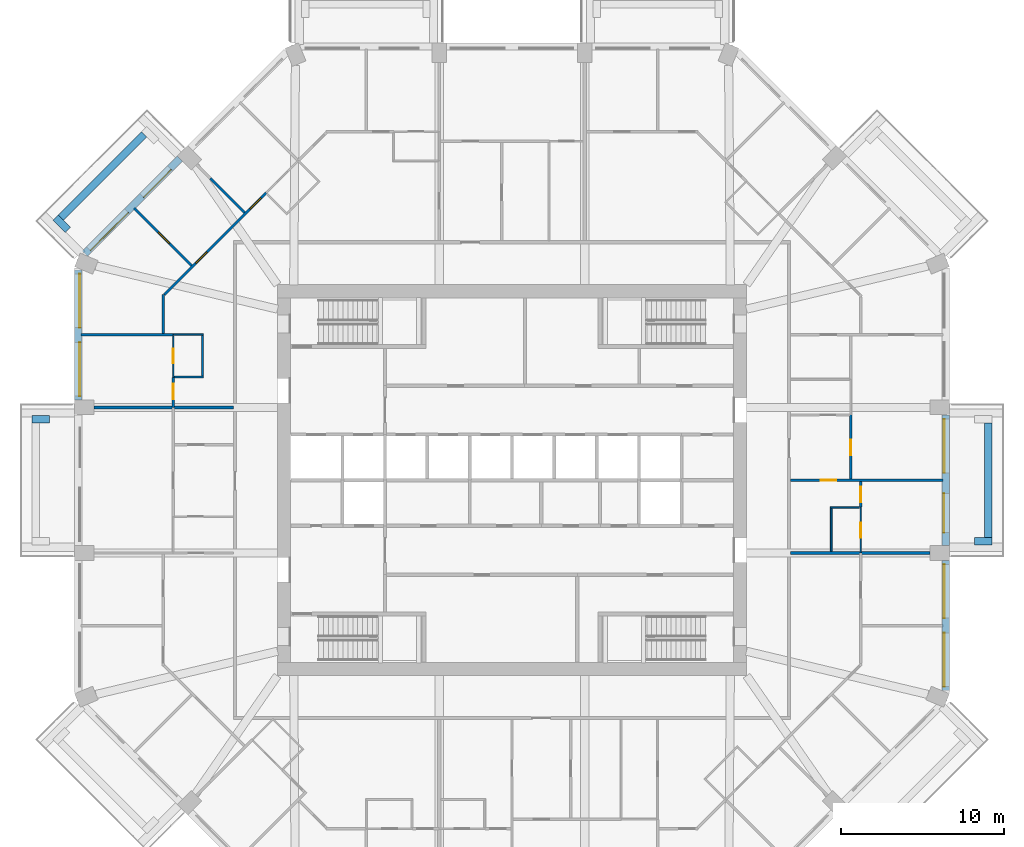
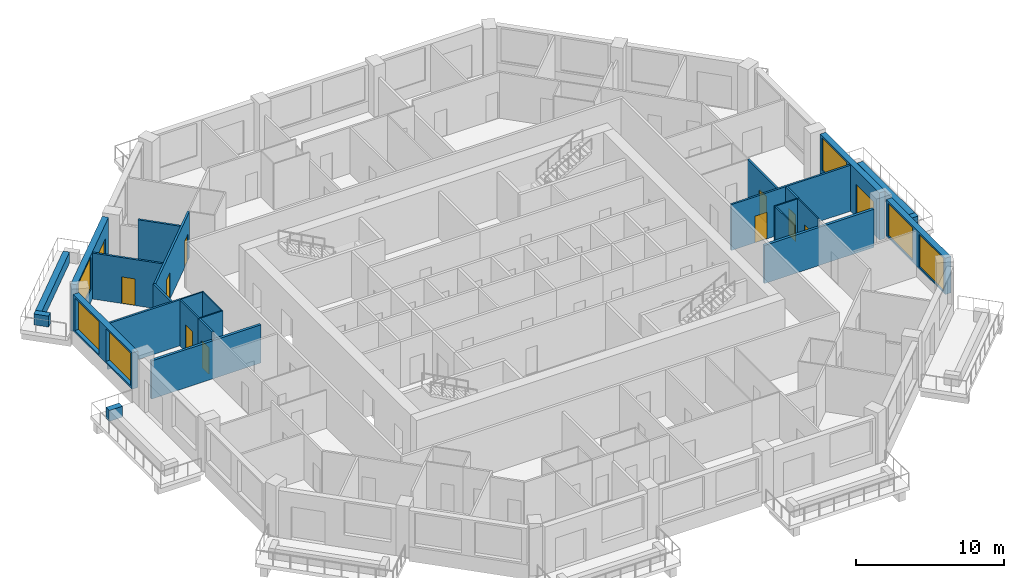
# One storey, part 7 of 13: 27 walls, 11 doors, 6 windows, 17 openings.
"""IFC4 building model written with IfcOpenShell, lengths in metres."""

import ifcopenshell
import ifcopenshell.guid

model = None  # the IFC model being written
_history = None  # IfcOwnerHistory: only IFC2X3 demands one
_inside = {}  # id of a spatial element -> (the spatial element, [elements in it])
_under = {}  # id of a project, library or spatial element -> (it, [spatial elements below it])
_declared = {}  # id of a project -> (the project, [libraries it declares])
_typed = {}  # id of a type object -> (the type object, [elements of that type])
_made_of = {}  # id of a material, layer set ... -> (it, [elements and type objects made of it])


def new_model(schema):
    """Start an empty IFC model of exactly this schema.

    Asked for "IFC4X3", IfcOpenShell would pick the latest addendum, in which some entities
    have other attributes; the version numbers below select the first issue.
    IFC2X3 requires an IfcOwnerHistory on every rooted entity: one is made here for all.
    """
    global model, _history
    if schema == "IFC4X3":
        model = ifcopenshell.file(schema_version=(4, 3, 0, 0))
    else:
        model = ifcopenshell.file(schema=schema)
    _inside.clear()
    _under.clear()
    _declared.clear()
    _typed.clear()
    _made_of.clear()
    _history = None
    if model.schema == "IFC2X3":
        org = make("IfcOrganization", Name="unknown")
        user = make(
            "IfcPersonAndOrganization",
            ThePerson=make("IfcPerson", FamilyName="unknown"),
            TheOrganization=org,
        )
        app = make(
            "IfcApplication",
            ApplicationDeveloper=org,
            Version="unknown",
            ApplicationFullName="unknown",
            ApplicationIdentifier="unknown",
        )
        _history = make(
            "IfcOwnerHistory",
            OwningUser=user,
            OwningApplication=app,
            ChangeAction="ADDED",
            CreationDate=0,
        )
    return model


def make(cls, **values):
    """One entity of the class cls with the attributes given. An attribute that is None is left unset."""
    return model.create_entity(
        cls, **{name: value for name, value in values.items() if value is not None}
    )


def rooted(cls, **values):
    """An entity with a GlobalId (a new one), such as an element, a storey or a relation."""
    return make(cls, GlobalId=ifcopenshell.guid.new(), OwnerHistory=_history, **values)


def si_unit(unit_type, name, prefix=None):
    """IfcSIUnit, for example si_unit("LENGTHUNIT", "METRE", prefix="MILLI")."""
    return make("IfcSIUnit", UnitType=unit_type, Prefix=prefix, Name=name)


def assignment(units):
    """IfcUnitAssignment: the units of a project."""
    return None if units is None else make("IfcUnitAssignment", Units=units)


def point(xyz):
    """IfcCartesianPoint."""
    return None if xyz is None else make("IfcCartesianPoint", Coordinates=xyz)


def direction(xyz):
    """IfcDirection."""
    return None if xyz is None else make("IfcDirection", DirectionRatios=xyz)


def frame(location, z_axis=None, x_axis=None):
    """IfcAxis2Placement3D, a coordinate frame: its origin and axes. An axis left out is left unset."""
    return make(
        "IfcAxis2Placement3D",
        Location=point(location),
        Axis=direction(z_axis),
        RefDirection=direction(x_axis),
    )


def frame_2d(location, x_axis=None):
    """IfcAxis2Placement2D, a coordinate frame in the plane: its origin and x axis."""
    return make(
        "IfcAxis2Placement2D", Location=point(location), RefDirection=direction(x_axis)
    )


def origin():
    """The frame at (0, 0, 0) with its axes left unset."""
    return frame((0.0, 0.0, 0.0))


def place(relative_to, where):
    """IfcLocalPlacement: puts the frame where relative to a parent placement (None: the world)."""
    return make(
        "IfcLocalPlacement", PlacementRelTo=relative_to, RelativePlacement=where
    )


def context(
    kind, dimensions, precision=None, world=None, true_north=None, identifier=None
):
    """IfcGeometricRepresentationContext, for example the 3D "Model" context."""
    return make(
        "IfcGeometricRepresentationContext",
        ContextIdentifier=identifier,
        ContextType=kind,
        CoordinateSpaceDimension=dimensions,
        Precision=precision,
        WorldCoordinateSystem=world,
        TrueNorth=true_north,
    )


def subcontext(parent, identifier, kind, view, scale=None):
    """IfcGeometricRepresentationSubContext, for example "Body" below "Model"."""
    return make(
        "IfcGeometricRepresentationSubContext",
        ContextIdentifier=identifier,
        ContextType=kind,
        ParentContext=parent,
        TargetScale=scale,
        TargetView=view,
    )


def project(units=None, contexts=None):
    """IfcProject with its units and contexts."""
    return rooted(
        "IfcProject",
        Name="project",
        RepresentationContexts=contexts,
        UnitsInContext=assignment(units),
    )


def spatial(cls, under=None, at=None, **own):
    """A site, building, storey or space (cls), placed at a placement, below another one or the project."""
    s = rooted(cls, ObjectPlacement=at, **own)
    if under is not None:
        _under.setdefault(under.id(), (under, []))[1].append(s)
    return s


def profile(cls, at=None, kind="AREA", **sizes):
    """A parametric profile (cls). Its sizes go by their IFC names, for example OverallWidth=200.0."""
    return make(cls, ProfileType=kind, Position=at, **sizes)


def rectangle(**sizes):
    """IfcRectangleProfileDef."""
    return profile("IfcRectangleProfileDef", **sizes)


def extrude(swept, where, along, depth):
    """IfcExtrudedAreaSolid: the profile swept, set in the frame where, extruded along a direction by depth."""
    return make(
        "IfcExtrudedAreaSolid",
        SweptArea=swept,
        Position=where,
        ExtrudedDirection=direction(along),
        Depth=depth,
    )


def shape(context_of_items, identifier, shape_type, items):
    """IfcShapeRepresentation: the items that make up one representation, for example the "Body"."""
    return make(
        "IfcShapeRepresentation",
        ContextOfItems=context_of_items,
        RepresentationIdentifier=identifier,
        RepresentationType=shape_type,
        Items=items,
    )


def material(Name=None, Category=None):
    """IfcMaterial."""
    return make("IfcMaterial", Name=Name, Category=Category)


def layer(
    of_material, thickness, ventilated=None, Name=None, Category=None, Priority=None
):
    """IfcMaterialLayer: one layer of a wall or slab, of a material (None: an air gap)."""
    return make(
        "IfcMaterialLayer",
        Material=of_material,
        LayerThickness=thickness,
        IsVentilated=ventilated,
        Name=Name,
        Category=Category,
        Priority=Priority,
    )


def layer_set(layers, Name=None):
    """IfcMaterialLayerSet."""
    return make("IfcMaterialLayerSet", MaterialLayers=layers, LayerSetName=Name)


def made_of(thing, what):
    """Note that an element or type object is made of a material, layer set ...; save() writes the relation."""
    if what is not None:
        _made_of.setdefault(what.id(), (what, []))[1].append(thing)
    return thing


def type_object(cls, material=None, **own):
    """A type object (cls), such as IfcWallType, which elements share."""
    return made_of(rooted(cls, **own), material)


def element(
    cls,
    number,
    at=None,
    inside=None,
    cuts=None,
    type_object=None,
    material=None,
    context=None,
    identifier="Body",
    shape_type=None,
    held_by="IfcProductDefinitionShape",
    body=None,
    shapes=None,
    **own,
):
    """One element of the class cls, such as IfcWall. Its Tag is "e" and its number.

    at: its placement. inside: the storey or other place that contains it. cuts: it is an
    opening in that element (IfcRelVoidsElement). A single representation is given by context,
    identifier, shape_type and body (its items); several are given by shapes. held_by: the class
    of the entity that holds the representations. save() writes the other relations.
    """
    e = rooted(cls, Tag="e%d" % number, ObjectPlacement=at, **own)
    if body is not None:
        shapes = [shape(context, identifier, shape_type, body)]
    if shapes is not None:
        e.Representation = make(held_by, Representations=shapes)
    if inside is not None:
        _inside.setdefault(inside.id(), (inside, []))[1].append(e)
    if cuts is not None:
        rooted(
            "IfcRelVoidsElement", RelatingBuildingElement=cuts, RelatedOpeningElement=e
        )
    if type_object is not None:
        _typed.setdefault(type_object.id(), (type_object, []))[1].append(e)
    return made_of(e, material)


def fill(opening, filler):
    """IfcRelFillsElement: the door or window that sits in an opening."""
    return rooted(
        "IfcRelFillsElement",
        RelatingOpeningElement=opening,
        RelatedBuildingElement=filler,
    )


def aggregate(whole, parts):
    """IfcRelAggregates: a whole, such as a stair, and the parts it consists of."""
    return rooted("IfcRelAggregates", RelatingObject=whole, RelatedObjects=parts)


def save(model, path):
    """Write the relations noted so far, then the file.

    IfcRelAggregates (storeys below a building ...), IfcRelContainedInSpatialStructure (elements
    in a storey), IfcRelDefinesByType, IfcRelAssociatesMaterial and IfcRelDeclares: one each for
    every whole, place, type object, material and project.
    """
    for whole, parts in _under.values():
        aggregate(whole, parts)
    for where, things in _inside.values():
        rooted(
            "IfcRelContainedInSpatialStructure",
            RelatedElements=things,
            RelatingStructure=where,
        )
    for kind, things in _typed.values():
        rooted("IfcRelDefinesByType", RelatedObjects=things, RelatingType=kind)
    for what, things in _made_of.values():
        rooted("IfcRelAssociatesMaterial", RelatedObjects=things, RelatingMaterial=what)
    for by, libraries in _declared.values():
        rooted("IfcRelDeclares", RelatingContext=by, RelatedDefinitions=libraries)
    model.write(path)


model = new_model("IFC4")

# Units and contexts
model_context = context("Model", 3, precision=1e-05, world=origin(), true_north=direction((0.0, 1.0)))
body_context = subcontext(model_context, "Body", "Model", "MODEL_VIEW")
ifc_project = project(units=[si_unit("LENGTHUNIT", "METRE"), si_unit("AREAUNIT", "SQUARE_METRE"), si_unit("VOLUMEUNIT", "CUBIC_METRE"), si_unit("PLANEANGLEUNIT", "RADIAN"), si_unit("MASSUNIT", "GRAM", prefix="KILO")], contexts=[model_context])

# Site, building, storey
site_placement = place(None, origin())
site = spatial("IfcSite", under=ifc_project, at=site_placement, CompositionType="ELEMENT")
building_placement = place(site_placement, origin())
building = spatial("IfcBuilding", under=site, at=building_placement, Name="Msitu Wima Residences", CompositionType="ELEMENT")
storey_placement = place(building_placement, frame((0.0, 0.0, 144.300048828125)))
storey = spatial("IfcBuildingStorey", under=building, at=storey_placement, Name="L33", CompositionType="ELEMENT", Elevation=144.300048828125)

# Walls
ifc_material_1 = material(Name="Facing brick")
ifc_layer_1 = layer(ifc_material_1, 0.06494140625, Name="Facing brick")
ifc_material_2 = material(Name="Concrete C40/50", Category="concrete")
ifc_layer_2 = layer(ifc_material_2, 0.156005859375, Name="Concrete C40/50")
ifc_material_3 = material(Name="Waterproofing membrane")
ifc_layer_3 = layer(ifc_material_3, 0.00390625, Name="Waterproofing membrane")
ifc_material_4 = material(Name="Planting soil and planting")
ifc_layer_4 = layer(ifc_material_4, 0.22509765625, Name="Planting soil and planting")
ifc_layer_set_1 = layer_set([ifc_layer_1, ifc_layer_2, ifc_layer_3, ifc_layer_4], Name="Concrete C40/50")
wall_type_1 = type_object("IfcWallType", Name="Balcony planter PLANTER PL450", PredefinedType="USERDEFINED", material=ifc_layer_set_1)
wall_1_placement = place(storey_placement, frame((29.22509765625, -3.5185546875, 0.0), z_axis=(0.0, 0.0, 1.0), x_axis=(0.0, 1.0, 0.0)))
element("IfcWall", 1, at=wall_1_placement, inside=storey, type_object=wall_type_1, Name="Balcony planter E1 L33", ObjectType="PLANTER", PredefinedType="USERDEFINED", context=body_context, shape_type="SweptSolid", body=[
    extrude(rectangle(XDim=7.037109375, YDim=0.449951171875, at=frame_2d((3.5185546875, 0.0))), origin(), (0.0, 0.0, 1.0), 0.89990234375),
])
wall_2_placement = place(storey_placement, frame((28.39990234375, -3.74365234375, 0.0), z_axis=(0.0, 0.0, 1.0), x_axis=(1.0, 0.0, 0.0)))
element("IfcWall", 2, at=wall_2_placement, inside=storey, type_object=wall_type_1, Name="Balcony planter E1 L33", ObjectType="PLANTER", PredefinedType="USERDEFINED", context=body_context, shape_type="SweptSolid", body=[
    extrude(rectangle(XDim=1.050048828125, YDim=0.449951171875, at=frame_2d((0.52490234375, 0.0))), origin(), (0.0, 0.0, 1.0), 0.89990234375),
])
wall_3_placement = place(storey_placement, frame((-22.572265625, 21.228759765625, 0.0), z_axis=(0.0, 0.0, 1.0), x_axis=(-0.707106781187, -0.707106781187, 0.0)))
element("IfcWall", 3, at=wall_3_placement, inside=storey, type_object=wall_type_1, Name="Balcony planter NW1 L33", ObjectType="PLANTER", PredefinedType="USERDEFINED", context=body_context, shape_type="SweptSolid", body=[
    extrude(rectangle(XDim=7.23828125, YDim=0.449951171875, at=frame_2d((3.619140625, 0.0))), origin(), (0.0, 0.0, 1.0), 0.89990234375),
])
for number, where, z_axis, x_axis, name in (
    (4, (-27.26611328125, 15.3681640625, 0.0), (0.0, 0.0, 1.0), (-0.707223014731, 0.706990528533, 0.0), "Balcony planter NW1 L33"),
    (5, (-28.39990234375, 3.74365234375, 0.0), (0.0, 0.0, 1.0), (-1.0, 0.0, 0.0), "Balcony planter W1 L33"),
):
    element("IfcWall", number, at=place(storey_placement, frame(where, z_axis=z_axis, x_axis=x_axis)), inside=storey, type_object=wall_type_1, Name=name, ObjectType="PLANTER", PredefinedType="USERDEFINED", context=body_context, shape_type="SweptSolid", body=[
        extrude(rectangle(XDim=1.050048828125, YDim=0.449951171875, at=frame_2d((0.52490234375, 0.0))), origin(), (0.0, 0.0, 1.0), 0.89990234375),
    ])

# Wall, openings, windows
ifc_material_5 = material(Name="Brick (red buff mix)", Category="masonry")
ifc_layer_5 = layer(ifc_material_5, 0.449951171875)
ifc_layer_set_2 = layer_set([ifc_layer_5], Name="Brick (red buff mix)")
wall_type_2 = type_object("IfcWallType", Name="Brick infill wall BW450", PredefinedType="SOLIDWALL", material=ifc_layer_set_2)
wall_4_placement = place(storey_placement, frame((26.625, -12.918701171875, 0.89990234375), z_axis=(0.0, 0.0, 1.0), x_axis=(0.0, 1.0, 0.0)))
wall_4 = element("IfcWall", 6, at=wall_4_placement, inside=storey, type_object=wall_type_2, Name="Brick infill wall L33 E0", PredefinedType="SOLIDWALL", context=body_context, shape_type="SweptSolid", body=[
    extrude(rectangle(XDim=8.0, YDim=0.449951171875, at=frame_2d((4.0, 0.0))), origin(), (0.0, 0.0, 1.0), 3.0),
])
opening_1_placement = place(wall_4_placement, frame((0.25, 0.0, 0.14990234375)))
opening_1 = element("IfcOpeningElement", 7, at=opening_1_placement, cuts=wall_4, Name="Opening W33.001", PredefinedType="OPENING", context=body_context, shape_type="SweptSolid", body=[
    extrude(rectangle(XDim=3.300048828125, YDim=2.699951171875, at=frame_2d((1.64990234375, 1.35009765625))), frame((0.0, 0.23486328125, 0.0), z_axis=(0.0, -1.0, 0.0), x_axis=(1.0, 0.0, 0.0)), (0.0, 0.0, 1.0), 0.469970703125),
])
opening_2_placement = place(wall_4_placement, frame((4.4501953125, 0.0, 0.14990234375)))
opening_2 = element("IfcOpeningElement", 8, at=opening_2_placement, cuts=wall_4, Name="Opening W33.002", PredefinedType="OPENING", context=body_context, shape_type="SweptSolid", body=[
    extrude(rectangle(XDim=3.300048828125, YDim=2.699951171875, at=frame_2d((1.64990234375, 1.35009765625))), frame((0.0, 0.23486328125, 0.0), z_axis=(0.0, -1.0, 0.0), x_axis=(1.0, 0.0, 0.0)), (0.0, 0.0, 1.0), 0.469970703125),
])
ifc_material_6 = material(Name="Anodised aluminium, bronze finish, clear low-emissivity double glazing", Category="aluminium")
window_type = type_object("IfcWindowType", Name="Window W3300x2700", PartitioningType="DOUBLE_PANEL_VERTICAL", PredefinedType="WINDOW", material=ifc_material_6)
window_1_placement = place(opening_1_placement, origin())
window_1 = element("IfcWindow", 9, at=window_1_placement, inside=storey, type_object=window_type, Name="Window L33 E0.1", OverallHeight=2.699951171875, OverallWidth=3.300048828125, PartitioningType="SINGLE_PANEL", PredefinedType="WINDOW", context=body_context, shape_type="SweptSolid", body=[
    extrude(rectangle(XDim=3.300048828125, YDim=2.699951171875, at=frame_2d((1.64990234375, 1.35009765625))), frame((0.0, 0.135009765625, 0.0), z_axis=(0.0, -1.0, 0.0), x_axis=(1.0, 0.0, 0.0)), (0.0, 0.0, 1.0), 0.06005859375),
])
fill(opening_1, window_1)
window_2_placement = place(opening_2_placement, origin())
window_2 = element("IfcWindow", 10, at=window_2_placement, inside=storey, type_object=window_type, Name="Window L33 E0.2", OverallHeight=2.699951171875, OverallWidth=3.300048828125, PartitioningType="SINGLE_PANEL", PredefinedType="WINDOW", context=body_context, shape_type="SweptSolid", body=[
    extrude(rectangle(XDim=3.300048828125, YDim=2.699951171875, at=frame_2d((1.64990234375, 1.35009765625))), frame((0.0, 0.135009765625, 0.0), z_axis=(0.0, -1.0, 0.0), x_axis=(1.0, 0.0, 0.0)), (0.0, 0.0, 1.0), 0.06005859375),
])
fill(opening_2, window_2)

# Wall, openings, door, window
wall_5_placement = place(storey_placement, frame((26.625, -4.0185546875, 0.0), z_axis=(0.0, 0.0, 1.0), x_axis=(0.0, 1.0, 0.0)))
wall_5 = element("IfcWall", 11, at=wall_5_placement, inside=storey, type_object=wall_type_2, Name="Brick infill wall L33 E1", PredefinedType="SOLIDWALL", context=body_context, shape_type="SweptSolid", body=[
    extrude(rectangle(XDim=8.037109375, YDim=0.449951171875, at=frame_2d((4.0185546875, 0.0))), origin(), (0.0, 0.0, 1.0), 3.89990234375),
])
opening_3_placement = place(wall_5_placement, frame((0.809326171875, 0.0, 0.0)))
opening_3 = element("IfcOpeningElement", 12, at=opening_3_placement, cuts=wall_5, Name="Opening D33.001", PredefinedType="OPENING", context=body_context, shape_type="SweptSolid", body=[
    extrude(rectangle(XDim=2.39990234375, YDim=2.699951171875, at=frame_2d((1.199951171875, 1.35009765625))), frame((0.0, 0.23486328125, 0.0), z_axis=(0.0, -1.0, 0.0), x_axis=(1.0, 0.0, 0.0)), (0.0, 0.0, 1.0), 0.469970703125),
])
opening_4_placement = place(wall_5_placement, frame((4.46875, 0.0, 1.050048828125)))
opening_4 = element("IfcOpeningElement", 13, at=opening_4_placement, cuts=wall_5, Name="Opening W33.003", PredefinedType="OPENING", context=body_context, shape_type="SweptSolid", body=[
    extrude(rectangle(XDim=3.300048828125, YDim=2.699951171875, at=frame_2d((1.64990234375, 1.35009765625))), frame((0.0, 0.23486328125, 0.0), z_axis=(0.0, -1.0, 0.0), x_axis=(1.0, 0.0, 0.0)), (0.0, 0.0, 1.0), 0.469970703125),
])
door_type_1 = type_object("IfcDoorType", Name="Balcony door D2400x2700", OperationType="SLIDING_TO_LEFT", PredefinedType="DOOR", material=ifc_material_6)
door_1_placement = place(opening_3_placement, origin())
door_1 = element("IfcDoor", 14, at=door_1_placement, inside=storey, type_object=door_type_1, Name="Balcony door L33 E1", OperationType="SINGLE_SWING_LEFT", OverallHeight=2.699951171875, OverallWidth=2.39990234375, PredefinedType="DOOR", context=body_context, shape_type="SweptSolid", body=[
    extrude(rectangle(XDim=2.39990234375, YDim=2.699951171875, at=frame_2d((1.199951171875, 1.35009765625))), frame((0.0, 0.1298828125, 0.0), z_axis=(0.0, -1.0, 0.0), x_axis=(1.0, 0.0, 0.0)), (0.0, 0.0, 1.0), 0.050048828125),
])
fill(opening_3, door_1)
window_3_placement = place(opening_4_placement, origin())
window_3 = element("IfcWindow", 15, at=window_3_placement, inside=storey, type_object=window_type, Name="Window L33 E1.2", OverallHeight=2.699951171875, OverallWidth=3.300048828125, PartitioningType="SINGLE_PANEL", PredefinedType="WINDOW", context=body_context, shape_type="SweptSolid", body=[
    extrude(rectangle(XDim=3.300048828125, YDim=2.699951171875, at=frame_2d((1.64990234375, 1.35009765625))), frame((0.0, 0.135009765625, 0.0), z_axis=(0.0, -1.0, 0.0), x_axis=(1.0, 0.0, 0.0)), (0.0, 0.0, 1.0), 0.06005859375),
])
fill(opening_4, window_3)

wall_6_placement = place(storey_placement, frame((-20.380126953125, 19.743896484375, 0.0), z_axis=(0.0, 0.0, 1.0), x_axis=(-0.707106781187, -0.707106781187, 0.0)))
wall_6 = element("IfcWall", 16, at=wall_6_placement, inside=storey, type_object=wall_type_2, Name="Brick infill wall L33 NW1", PredefinedType="SOLIDWALL", context=body_context, shape_type="SweptSolid", body=[
    extrude(rectangle(XDim=8.251220703125, YDim=0.449951171875, at=frame_2d((4.12548828125, 0.0))), origin(), (0.0, 0.0, 1.0), 3.89990234375),
])
opening_5_placement = place(wall_6_placement, frame((0.86279296875, 0.0, 0.0)))
opening_5 = element("IfcOpeningElement", 17, at=opening_5_placement, cuts=wall_6, Name="Opening D33.005", PredefinedType="OPENING", context=body_context, shape_type="SweptSolid", body=[
    extrude(rectangle(XDim=2.39990234375, YDim=2.699951171875, at=frame_2d((1.199951171875, 1.35009765625))), frame((0.0, 0.23486328125, 0.0), z_axis=(0.0, -1.0, 0.0), x_axis=(1.0, 0.0, 0.0)), (0.0, 0.0, 1.0), 0.469970703125),
])
opening_6_placement = place(wall_6_placement, frame((4.57568359375, 0.0, 1.050048828125)))
opening_6 = element("IfcOpeningElement", 18, at=opening_6_placement, cuts=wall_6, Name="Opening W33.015", PredefinedType="OPENING", context=body_context, shape_type="SweptSolid", body=[
    extrude(rectangle(XDim=3.300048828125, YDim=2.699951171875, at=frame_2d((1.64990234375, 1.35009765625))), frame((0.0, 0.23486328125, 0.0), z_axis=(0.0, -1.0, 0.0), x_axis=(1.0, 0.0, 0.0)), (0.0, 0.0, 1.0), 0.469970703125),
])
door_2_placement = place(opening_5_placement, origin())
door_2 = element("IfcDoor", 19, at=door_2_placement, inside=storey, type_object=door_type_1, Name="Balcony door L33 NW1", OperationType="SINGLE_SWING_LEFT", OverallHeight=2.699951171875, OverallWidth=2.39990234375, PredefinedType="DOOR", context=body_context, shape_type="SweptSolid", body=[
    extrude(rectangle(XDim=2.39990234375, YDim=2.699951171875, at=frame_2d((1.199951171875, 1.35009765625))), frame((0.0, 0.1298828125, 0.0), z_axis=(0.0, -1.0, 0.0), x_axis=(1.0, 0.0, 0.0)), (0.0, 0.0, 1.0), 0.050048828125),
])
fill(opening_5, door_2)
window_4_placement = place(opening_6_placement, origin())
window_4 = element("IfcWindow", 20, at=window_4_placement, inside=storey, type_object=window_type, Name="Window L33 NW1.2", OverallHeight=2.699951171875, OverallWidth=3.300048828125, PartitioningType="SINGLE_PANEL", PredefinedType="WINDOW", context=body_context, shape_type="SweptSolid", body=[
    extrude(rectangle(XDim=3.300048828125, YDim=2.699951171875, at=frame_2d((1.64990234375, 1.35009765625))), frame((0.0, 0.135009765625, 0.0), z_axis=(0.0, -1.0, 0.0), x_axis=(1.0, 0.0, 0.0)), (0.0, 0.0, 1.0), 0.06005859375),
])
fill(opening_6, window_4)

# Wall, openings, windows
wall_7_placement = place(storey_placement, frame((-26.625, 12.918701171875, 0.89990234375), z_axis=(0.0, 0.0, 1.0), x_axis=(0.0, -1.0, 0.0)))
wall_7 = element("IfcWall", 21, at=wall_7_placement, inside=storey, type_object=wall_type_2, Name="Brick infill wall L33 W0", PredefinedType="SOLIDWALL", context=body_context, shape_type="SweptSolid", body=[
    extrude(rectangle(XDim=8.0, YDim=0.449951171875, at=frame_2d((4.0, 0.0))), origin(), (0.0, 0.0, 1.0), 3.0),
])
opening_7_placement = place(wall_7_placement, frame((0.25, 0.0, 0.14990234375)))
opening_7 = element("IfcOpeningElement", 22, at=opening_7_placement, cuts=wall_7, Name="Opening W33.026", PredefinedType="OPENING", context=body_context, shape_type="SweptSolid", body=[
    extrude(rectangle(XDim=3.300048828125, YDim=2.699951171875, at=frame_2d((1.64990234375, 1.35009765625))), frame((0.0, 0.23486328125, 0.0), z_axis=(0.0, -1.0, 0.0), x_axis=(1.0, 0.0, 0.0)), (0.0, 0.0, 1.0), 0.469970703125),
])
opening_8_placement = place(wall_7_placement, frame((4.4501953125, 0.0, 0.14990234375)))
opening_8 = element("IfcOpeningElement", 23, at=opening_8_placement, cuts=wall_7, Name="Opening W33.027", PredefinedType="OPENING", context=body_context, shape_type="SweptSolid", body=[
    extrude(rectangle(XDim=3.300048828125, YDim=2.699951171875, at=frame_2d((1.64990234375, 1.35009765625))), frame((0.0, 0.23486328125, 0.0), z_axis=(0.0, -1.0, 0.0), x_axis=(1.0, 0.0, 0.0)), (0.0, 0.0, 1.0), 0.469970703125),
])
window_5_placement = place(opening_7_placement, origin())
window_5 = element("IfcWindow", 24, at=window_5_placement, inside=storey, type_object=window_type, Name="Window L33 W0.1", OverallHeight=2.699951171875, OverallWidth=3.300048828125, PartitioningType="SINGLE_PANEL", PredefinedType="WINDOW", context=body_context, shape_type="SweptSolid", body=[
    extrude(rectangle(XDim=3.300048828125, YDim=2.699951171875, at=frame_2d((1.64990234375, 1.35009765625))), frame((0.0, 0.135009765625, 0.0), z_axis=(0.0, -1.0, 0.0), x_axis=(1.0, 0.0, 0.0)), (0.0, 0.0, 1.0), 0.06005859375),
])
fill(opening_7, window_5)
window_6_placement = place(opening_8_placement, origin())
window_6 = element("IfcWindow", 25, at=window_6_placement, inside=storey, type_object=window_type, Name="Window L33 W0.2", OverallHeight=2.699951171875, OverallWidth=3.300048828125, PartitioningType="SINGLE_PANEL", PredefinedType="WINDOW", context=body_context, shape_type="SweptSolid", body=[
    extrude(rectangle(XDim=3.300048828125, YDim=2.699951171875, at=frame_2d((1.64990234375, 1.35009765625))), frame((0.0, 0.135009765625, 0.0), z_axis=(0.0, -1.0, 0.0), x_axis=(1.0, 0.0, 0.0)), (0.0, 0.0, 1.0), 0.06005859375),
])
fill(opening_8, window_6)

# Wall
ifc_material_7 = material(Name="Plaster")
ifc_layer_6 = layer(ifc_material_7, 0.011962890625, Name="Plaster")
ifc_material_8 = material(Name="Concrete blockwork", Category="masonry")
ifc_layer_7 = layer(ifc_material_8, 0.1259765625, Name="Concrete blockwork")
ifc_layer_8 = layer(ifc_material_7, 0.011962890625, Name="Plaster")
ifc_layer_set_3 = layer_set([ifc_layer_6, ifc_layer_7, ifc_layer_8], Name="Concrete blockwork")
wall_type_3 = type_object("IfcWallType", Name="Partition PW150", PredefinedType="PARTITIONING", material=ifc_layer_set_3)
wall_8_placement = place(storey_placement, frame((-26.455078125, 8.937255859375, 0.0), z_axis=(0.0, 0.0, 1.0), x_axis=(1.0, 0.0, 0.0)))
element("IfcWall", 26, at=wall_8_placement, inside=storey, type_object=wall_type_3, Name="Partition", PredefinedType="PARTITIONING", context=body_context, shape_type="SweptSolid", body=[
    extrude(rectangle(XDim=5.675048828125, YDim=0.14990234375, at=frame_2d((2.83740234375, 0.0))), origin(), (0.0, 0.0, 1.0), 3.7978515625),
])

# Wall, opening, door
wall_9_placement = place(storey_placement, frame((-23.1904296875, 16.693359375, 0.0), z_axis=(0.0, 0.0, 1.0), x_axis=(0.707106781187, -0.707106781187, 0.0)))
wall_9 = element("IfcWall", 27, at=wall_9_placement, inside=storey, type_object=wall_type_3, Name="Partition", PredefinedType="PARTITIONING", context=body_context, shape_type="SweptSolid", body=[
    extrude(rectangle(XDim=4.980224609375, YDim=0.14990234375, at=frame_2d((2.490234375, 0.0))), origin(), (0.0, 0.0, 1.0), 3.7978515625),
])
opening_9_placement = place(wall_9_placement, frame((2.10009765625, 0.0, 0.0)))
opening_9 = element("IfcOpeningElement", 28, at=opening_9_placement, cuts=wall_9, Name="Opening D33.055", PredefinedType="OPENING", context=body_context, shape_type="SweptSolid", body=[
    extrude(rectangle(XDim=0.949951171875, YDim=2.199951171875, at=frame_2d((0.47509765625, 1.10009765625))), frame((0.0, 0.0849609375, 0.0), z_axis=(0.0, -1.0, 0.0), x_axis=(1.0, 0.0, 0.0)), (0.0, 0.0, 1.0), 0.169921875),
])
ifc_material_9 = material(Name="Timber flush door", Category="wood")
door_type_2 = type_object("IfcDoorType", Name="Room door D12 950x2200", OperationType="SINGLE_SWING_LEFT", PredefinedType="DOOR", material=ifc_material_9)
door_3_placement = place(opening_9_placement, origin())
door_3 = element("IfcDoor", 29, at=door_3_placement, inside=storey, type_object=door_type_2, Name="Room door", OperationType="SINGLE_SWING_LEFT", OverallHeight=2.199951171875, OverallWidth=0.949951171875, PredefinedType="DOOR", context=body_context, shape_type="SweptSolid", body=[
    extrude(rectangle(XDim=0.949951171875, YDim=2.199951171875, at=frame_2d((0.47509765625, 1.10009765625))), frame((0.0, 0.02490234375, 0.0), z_axis=(0.0, -1.0, 0.0), x_axis=(1.0, 0.0, 0.0)), (0.0, 0.0, 1.0), 0.050048828125),
])
fill(opening_9, door_3)

# Wall
wall_10_placement = place(storey_placement, frame((-21.39990234375, 9.01220703125, 0.0), z_axis=(0.0, 0.0, 1.0), x_axis=(0.0, 1.0, 0.0)))
element("IfcWall", 30, at=wall_10_placement, inside=storey, type_object=wall_type_3, Name="Partition", PredefinedType="PARTITIONING", context=body_context, shape_type="SweptSolid", body=[
    extrude(rectangle(XDim=2.397705078125, YDim=0.14990234375, at=frame_2d((1.19873046875, 0.0))), origin(), (0.0, 0.0, 1.0), 3.7978515625),
])

# Wall, openings, doors
wall_11_placement = place(storey_placement, frame((-21.346923828125, 11.387939453125, 0.0), z_axis=(0.0, 0.0, 1.0), x_axis=(0.707106781187, 0.707106781187, 0.0)))
wall_11 = element("IfcWall", 31, at=wall_11_placement, inside=storey, type_object=wall_type_3, Name="Partition", PredefinedType="PARTITIONING", context=body_context, shape_type="SweptSolid", body=[
    extrude(rectangle(XDim=8.836181640625, YDim=0.14990234375, at=frame_2d((4.41796875, 0.0))), origin(), (0.0, 0.0, 1.0), 3.7978515625),
])
opening_10_placement = place(wall_11_placement, frame((2.75, 0.0, 0.0)))
opening_10 = element("IfcOpeningElement", 32, at=opening_10_placement, cuts=wall_11, Name="Opening D33.045", PredefinedType="OPENING", context=body_context, shape_type="SweptSolid", body=[
    extrude(rectangle(XDim=0.949951171875, YDim=2.199951171875, at=frame_2d((0.47509765625, 1.10009765625))), frame((0.0, 0.0849609375, 0.0), z_axis=(0.0, -1.0, 0.0), x_axis=(1.0, 0.0, 0.0)), (0.0, 0.0, 1.0), 0.169921875),
])
opening_11_placement = place(wall_11_placement, frame((7.449951171875, 0.0, 0.0)))
opening_11 = element("IfcOpeningElement", 33, at=opening_11_placement, cuts=wall_11, Name="Opening D33.047", PredefinedType="OPENING", context=body_context, shape_type="SweptSolid", body=[
    extrude(rectangle(XDim=0.949951171875, YDim=2.199951171875, at=frame_2d((0.47509765625, 1.10009765625))), frame((0.0, 0.0849609375, 0.0), z_axis=(0.0, -1.0, 0.0), x_axis=(1.0, 0.0, 0.0)), (0.0, 0.0, 1.0), 0.169921875),
])
door_4_placement = place(opening_10_placement, origin())
door_4 = element("IfcDoor", 34, at=door_4_placement, inside=storey, type_object=door_type_2, Name="Room door", OperationType="SINGLE_SWING_LEFT", OverallHeight=2.199951171875, OverallWidth=0.949951171875, PredefinedType="DOOR", context=body_context, shape_type="SweptSolid", body=[
    extrude(rectangle(XDim=0.949951171875, YDim=2.199951171875, at=frame_2d((0.47509765625, 1.10009765625))), frame((0.0, 0.02490234375, 0.0), z_axis=(0.0, -1.0, 0.0), x_axis=(1.0, 0.0, 0.0)), (0.0, 0.0, 1.0), 0.050048828125),
])
fill(opening_10, door_4)
door_5_placement = place(opening_11_placement, origin())
door_5 = element("IfcDoor", 35, at=door_5_placement, inside=storey, type_object=door_type_2, Name="Room door", OperationType="SINGLE_SWING_LEFT", OverallHeight=2.199951171875, OverallWidth=0.949951171875, PredefinedType="DOOR", context=body_context, shape_type="SweptSolid", body=[
    extrude(rectangle(XDim=0.949951171875, YDim=2.199951171875, at=frame_2d((0.47509765625, 1.10009765625))), frame((0.0, 0.02490234375, 0.0), z_axis=(0.0, -1.0, 0.0), x_axis=(1.0, 0.0, 0.0)), (0.0, 0.0, 1.0), 0.050048828125),
])
fill(opening_11, door_5)

# Wall, opening, door
wall_12_placement = place(storey_placement, frame((-20.800048828125, 4.46875, 0.0), z_axis=(0.0, 0.0, 1.0), x_axis=(0.0, 1.0, 0.0)))
wall_12 = element("IfcWall", 36, at=wall_12_placement, inside=storey, type_object=wall_type_3, Name="Partition", PredefinedType="PARTITIONING", context=body_context, shape_type="SweptSolid", body=[
    extrude(rectangle(XDim=1.848388671875, YDim=0.14990234375, at=frame_2d((0.92431640625, 0.0))), origin(), (0.0, 0.0, 1.0), 3.7978515625),
])
opening_12_placement = place(wall_12_placement, frame((0.5, 0.0, 0.0)))
opening_12 = element("IfcOpeningElement", 37, at=opening_12_placement, cuts=wall_12, Name="Opening D33.053", PredefinedType="OPENING", context=body_context, shape_type="SweptSolid", body=[
    extrude(rectangle(XDim=0.949951171875, YDim=2.199951171875, at=frame_2d((0.47509765625, 1.10009765625))), frame((0.0, 0.0849609375, 0.0), z_axis=(0.0, -1.0, 0.0), x_axis=(1.0, 0.0, 0.0)), (0.0, 0.0, 1.0), 0.169921875),
])
door_6_placement = place(opening_12_placement, origin())
door_6 = element("IfcDoor", 38, at=door_6_placement, inside=storey, type_object=door_type_2, Name="Room door", OperationType="SINGLE_SWING_LEFT", OverallHeight=2.199951171875, OverallWidth=0.949951171875, PredefinedType="DOOR", context=body_context, shape_type="SweptSolid", body=[
    extrude(rectangle(XDim=0.949951171875, YDim=2.199951171875, at=frame_2d((0.47509765625, 1.10009765625))), frame((0.0, 0.02490234375, 0.0), z_axis=(0.0, -1.0, 0.0), x_axis=(1.0, 0.0, 0.0)), (0.0, 0.0, 1.0), 0.050048828125),
])
fill(opening_12, door_6)

# Wall
wall_13_placement = place(storey_placement, frame((-18.517578125, 18.517578125, 0.0), z_axis=(0.0, 0.0, 1.0), x_axis=(0.707106781187, -0.707106781187, 0.0)))
element("IfcWall", 39, at=wall_13_placement, inside=storey, type_object=wall_type_3, Name="Partition", PredefinedType="PARTITIONING", context=body_context, shape_type="SweptSolid", body=[
    extrude(rectangle(XDim=2.9658203125, YDim=0.14990234375, at=frame_2d((1.48291015625, 0.0))), origin(), (0.0, 0.0, 1.0), 3.7978515625),
])

# Wall, opening, door
wall_14_placement = place(storey_placement, frame((17.10009765625, 0.0, 0.0), z_axis=(0.0, 0.0, 1.0), x_axis=(1.0, 0.0, 0.0)))
wall_14 = element("IfcWall", 40, at=wall_14_placement, inside=storey, type_object=wall_type_3, Name="Partition", PredefinedType="PARTITIONING", context=body_context, shape_type="SweptSolid", body=[
    extrude(rectangle(XDim=9.35498046875, YDim=0.14990234375, at=frame_2d((4.677490234375, 0.0))), origin(), (0.0, 0.0, 1.0), 3.7978515625),
])
opening_13_placement = place(wall_14_placement, frame((1.85009765625, 0.0, 0.0)))
opening_13 = element("IfcOpeningElement", 41, at=opening_13_placement, cuts=wall_14, Name="Opening D33.050", PredefinedType="OPENING", context=body_context, shape_type="SweptSolid", body=[
    extrude(rectangle(XDim=0.949951171875, YDim=2.199951171875, at=frame_2d((0.47509765625, 1.10009765625))), frame((0.0, 0.0849609375, 0.0), z_axis=(0.0, -1.0, 0.0), x_axis=(1.0, 0.0, 0.0)), (0.0, 0.0, 1.0), 0.169921875),
])
door_7_placement = place(opening_13_placement, origin())
door_7 = element("IfcDoor", 42, at=door_7_placement, inside=storey, type_object=door_type_2, Name="Room door", OperationType="SINGLE_SWING_RIGHT", OverallHeight=2.199951171875, OverallWidth=0.949951171875, PredefinedType="DOOR", context=body_context, shape_type="SweptSolid", body=[
    extrude(rectangle(XDim=0.949951171875, YDim=2.199951171875, at=frame_2d((0.47509765625, 1.10009765625))), frame((0.0, 0.02490234375, 0.0), z_axis=(0.0, -1.0, 0.0), x_axis=(1.0, 0.0, 0.0)), (0.0, 0.0, 1.0), 0.050048828125),
])
fill(opening_13, door_7)

wall_15_placement = place(storey_placement, frame((20.800048828125, 0.074951171875, 0.0), z_axis=(0.0, 0.0, 1.0), x_axis=(0.0, 1.0, 0.0)))
wall_15 = element("IfcWall", 43, at=wall_15_placement, inside=storey, type_object=wall_type_3, Name="Partition", PredefinedType="PARTITIONING", context=body_context, shape_type="SweptSolid", body=[
    extrude(rectangle(XDim=3.945068359375, YDim=0.14990234375, at=frame_2d((1.97265625, 0.0))), origin(), (0.0, 0.0, 1.0), 3.7978515625),
])
opening_14_placement = place(wall_15_placement, frame((1.449951171875, 0.0, 0.0)))
opening_14 = element("IfcOpeningElement", 44, at=opening_14_placement, cuts=wall_15, Name="Opening D33.039", PredefinedType="OPENING", context=body_context, shape_type="SweptSolid", body=[
    extrude(rectangle(XDim=0.949951171875, YDim=2.199951171875, at=frame_2d((0.47509765625, 1.10009765625))), frame((0.0, 0.0849609375, 0.0), z_axis=(0.0, -1.0, 0.0), x_axis=(1.0, 0.0, 0.0)), (0.0, 0.0, 1.0), 0.169921875),
])
door_8_placement = place(opening_14_placement, origin())
door_8 = element("IfcDoor", 45, at=door_8_placement, inside=storey, type_object=door_type_2, Name="Room door", OperationType="SINGLE_SWING_RIGHT", OverallHeight=2.199951171875, OverallWidth=0.949951171875, PredefinedType="DOOR", context=body_context, shape_type="SweptSolid", body=[
    extrude(rectangle(XDim=0.949951171875, YDim=2.199951171875, at=frame_2d((0.47509765625, 1.10009765625))), frame((0.0, 0.02490234375, 0.0), z_axis=(0.0, -1.0, 0.0), x_axis=(1.0, 0.0, 0.0)), (0.0, 0.0, 1.0), 0.050048828125),
])
fill(opening_14, door_8)

wall_16_placement = place(storey_placement, frame((21.39990234375, -1.648681640625, 0.0), z_axis=(0.0, 0.0, 1.0), x_axis=(0.0, 1.0, 0.0)))
wall_16 = element("IfcWall", 46, at=wall_16_placement, inside=storey, type_object=wall_type_3, Name="Partition", PredefinedType="PARTITIONING", context=body_context, shape_type="SweptSolid", body=[
    extrude(rectangle(XDim=1.57373046875, YDim=0.14990234375, at=frame_2d((0.786865234375, 0.0))), origin(), (0.0, 0.0, 1.0), 3.7978515625),
])
opening_15_placement = place(wall_16_placement, frame((0.300048828125, 0.0, 0.0)))
opening_15 = element("IfcOpeningElement", 47, at=opening_15_placement, cuts=wall_16, Name="Opening D33.072", PredefinedType="OPENING", context=body_context, shape_type="SweptSolid", body=[
    extrude(rectangle(XDim=0.949951171875, YDim=2.199951171875, at=frame_2d((0.47509765625, 1.10009765625))), frame((0.0, 0.0849609375, 0.0), z_axis=(0.0, -1.0, 0.0), x_axis=(1.0, 0.0, 0.0)), (0.0, 0.0, 1.0), 0.169921875),
])
door_9_placement = place(opening_15_placement, origin())
door_9 = element("IfcDoor", 48, at=door_9_placement, inside=storey, type_object=door_type_2, Name="Room door", OperationType="SINGLE_SWING_LEFT", OverallHeight=2.199951171875, OverallWidth=0.949951171875, PredefinedType="DOOR", context=body_context, shape_type="SweptSolid", body=[
    extrude(rectangle(XDim=0.949951171875, YDim=2.199951171875, at=frame_2d((0.47509765625, 1.10009765625))), frame((0.0, 0.02490234375, 0.0), z_axis=(0.0, -1.0, 0.0), x_axis=(1.0, 0.0, 0.0)), (0.0, 0.0, 1.0), 0.050048828125),
])
fill(opening_15, door_9)

# Walls
ifc_layer_9 = layer(ifc_material_7, 0.011962890625, Name="Plaster")
ifc_material_10 = material(Name="Dense concrete blockwork", Category="masonry")
ifc_layer_10 = layer(ifc_material_10, 0.176025390625, Name="Dense concrete blockwork")
ifc_layer_11 = layer(ifc_material_7, 0.011962890625, Name="Plaster")
ifc_layer_set_4 = layer_set([ifc_layer_9, ifc_layer_10, ifc_layer_11], Name="Dense concrete blockwork")
wall_type_4 = type_object("IfcWallType", Name="Party wall PW200", PredefinedType="PARTITIONING", material=ifc_layer_set_4)
for number, where, z_axis, x_axis, name in (
    (49, (-25.64990234375, 4.46875, 0.0), (0.0, 0.0, 1.0), (1.0, 0.0, 0.0), "Party wall"),
    (50, (17.10009765625, -4.46875, 0.0), (0.0, 0.0, 1.0), (1.0, 0.0, 0.0), "Party wall"),
):
    element("IfcWall", number, at=place(storey_placement, frame(where, z_axis=z_axis, x_axis=x_axis)), inside=storey, type_object=wall_type_4, Name=name, PredefinedType="PARTITIONING", context=body_context, shape_type="SweptSolid", body=[
        extrude(rectangle(XDim=8.5498046875, YDim=0.199951171875, at=frame_2d((4.27490234375, 0.0))), origin(), (0.0, 0.0, 1.0), 3.14990234375),
    ])
ifc_material_11 = material(Name="Ceramic tiles")
ifc_layer_12 = layer(ifc_material_11, 0.008056640625, Name="Ceramic tiles")
ifc_material_12 = material(Name="Moisture-resistant board")
ifc_layer_13 = layer(ifc_material_12, 0.012451171875, Name="Moisture-resistant board")
ifc_material_13 = material(Name="Light-gauge stud framing with mineral wool")
ifc_layer_14 = layer(ifc_material_13, 0.06689453125, Name="Light-gauge stud framing with mineral wool")
ifc_layer_15 = layer(ifc_material_12, 0.012451171875, Name="Moisture-resistant board")
ifc_layer_set_5 = layer_set([ifc_layer_12, ifc_layer_13, ifc_layer_14, ifc_layer_15], Name="Light-gauge stud framing with mineral wool")
wall_type_5 = type_object("IfcWallType", Name="Wet wall PW100", PredefinedType="PARTITIONING", material=ifc_layer_set_5)
wall_17_placement = place(storey_placement, frame((-20.780029296875, 8.937255859375, 0.0), z_axis=(0.0, 0.0, 1.0), x_axis=(1.0, 0.0, 0.0)))
element("IfcWall", 51, at=wall_17_placement, inside=storey, type_object=wall_type_5, Name="Wet wall", PredefinedType="PARTITIONING", context=body_context, shape_type="SweptSolid", body=[
    extrude(rectangle(XDim=1.830078125, YDim=0.10009765625, at=frame_2d((0.9150390625, 0.0))), origin(), (0.0, 0.0, 1.0), 3.7978515625),
])

# Wall, opening, door
wall_18_placement = place(storey_placement, frame((-20.800048828125, 6.317138671875, 0.0), z_axis=(0.0, 0.0, 1.0), x_axis=(0.0, 1.0, 0.0)))
wall_18 = element("IfcWall", 52, at=wall_18_placement, inside=storey, type_object=wall_type_5, Name="Wet wall", PredefinedType="PARTITIONING", context=body_context, shape_type="SweptSolid", body=[
    extrude(rectangle(XDim=2.545166015625, YDim=0.10009765625, at=frame_2d((1.2724609375, 0.0))), origin(), (0.0, 0.0, 1.0), 3.7978515625),
])
opening_16_placement = place(wall_18_placement, frame((0.85009765625, 0.0, 0.0)))
opening_16 = element("IfcOpeningElement", 53, at=opening_16_placement, cuts=wall_18, Name="Opening D33.054", PredefinedType="OPENING", context=body_context, shape_type="SweptSolid", body=[
    extrude(rectangle(XDim=0.89990234375, YDim=2.199951171875, at=frame_2d((0.449951171875, 1.10009765625))), frame((0.0, 0.06005859375, 0.0), z_axis=(0.0, -1.0, 0.0), x_axis=(1.0, 0.0, 0.0)), (0.0, 0.0, 1.0), 0.1201171875),
])
ifc_material_14 = material(Name="Timber flush door, moisture resistant", Category="wood")
door_type_3 = type_object("IfcDoorType", Name="Bathroom door D03 900x2200", OperationType="SINGLE_SWING_LEFT", PredefinedType="DOOR", material=ifc_material_14)
door_10_placement = place(opening_16_placement, origin())
door_10 = element("IfcDoor", 54, at=door_10_placement, inside=storey, type_object=door_type_3, Name="Bathroom door", OperationType="SINGLE_SWING_RIGHT", OverallHeight=2.199951171875, OverallWidth=0.89990234375, PredefinedType="DOOR", context=body_context, shape_type="SweptSolid", body=[
    extrude(rectangle(XDim=0.89990234375, YDim=2.199951171875, at=frame_2d((0.449951171875, 1.10009765625))), frame((0.0, 0.02490234375, 0.0), z_axis=(0.0, -1.0, 0.0), x_axis=(1.0, 0.0, 0.0)), (0.0, 0.0, 1.0), 0.050048828125),
])
fill(opening_16, door_10)

# Walls
wall_19_placement = place(storey_placement, frame((-20.72509765625, 6.337158203125, 0.0), z_axis=(0.0, 0.0, 1.0), x_axis=(1.0, 0.0, 0.0)))
element("IfcWall", 55, at=wall_19_placement, inside=storey, type_object=wall_type_5, Name="Wet wall", PredefinedType="PARTITIONING", context=body_context, shape_type="SweptSolid", body=[
    extrude(rectangle(XDim=1.775146484375, YDim=0.10009765625, at=frame_2d((0.8876953125, 0.0))), origin(), (0.0, 0.0, 1.0), 3.7978515625),
])
wall_20_placement = place(storey_placement, frame((-19.0, 6.38720703125, 0.0), z_axis=(0.0, 0.0, 1.0), x_axis=(0.0, 1.0, 0.0)))
element("IfcWall", 56, at=wall_20_placement, inside=storey, type_object=wall_type_5, Name="Wet wall", PredefinedType="PARTITIONING", context=body_context, shape_type="SweptSolid", body=[
    extrude(rectangle(XDim=2.5, YDim=0.10009765625, at=frame_2d((1.25, 0.0))), origin(), (0.0, 0.0, 1.0), 3.7978515625),
])
wall_21_placement = place(storey_placement, frame((19.60009765625, -4.36865234375, 0.0), z_axis=(0.0, 0.0, 1.0), x_axis=(0.0, 1.0, 0.0)))
element("IfcWall", 57, at=wall_21_placement, inside=storey, type_object=wall_type_5, Name="Wet wall", PredefinedType="PARTITIONING", context=body_context, shape_type="SweptSolid", body=[
    extrude(rectangle(XDim=2.64990234375, YDim=0.10009765625, at=frame_2d((1.324951171875, 0.0))), origin(), (0.0, 0.0, 1.0), 3.7978515625),
])
wall_22_placement = place(storey_placement, frame((19.550048828125, -1.668701171875, 0.0), z_axis=(0.0, 0.0, 1.0), x_axis=(1.0, 0.0, 0.0)))
element("IfcWall", 58, at=wall_22_placement, inside=storey, type_object=wall_type_5, Name="Wet wall", PredefinedType="PARTITIONING", context=body_context, shape_type="SweptSolid", body=[
    extrude(rectangle(XDim=1.77490234375, YDim=0.10009765625, at=frame_2d((0.887451171875, 0.0))), origin(), (0.0, 0.0, 1.0), 3.7978515625),
])

# Wall, opening, door
wall_23_placement = place(storey_placement, frame((21.39990234375, -4.46875, 0.0), z_axis=(0.0, 0.0, 1.0), x_axis=(0.0, 1.0, 0.0)))
wall_23 = element("IfcWall", 59, at=wall_23_placement, inside=storey, type_object=wall_type_5, Name="Wet wall", PredefinedType="PARTITIONING", context=body_context, shape_type="SweptSolid", body=[
    extrude(rectangle(XDim=2.820068359375, YDim=0.10009765625, at=frame_2d((1.41015625, 0.0))), origin(), (0.0, 0.0, 1.0), 3.7978515625),
])
opening_17_placement = place(wall_23_placement, frame((0.949951171875, 0.0, 0.0)))
opening_17 = element("IfcOpeningElement", 60, at=opening_17_placement, cuts=wall_23, Name="Opening D33.083", PredefinedType="OPENING", context=body_context, shape_type="SweptSolid", body=[
    extrude(rectangle(XDim=0.89990234375, YDim=2.199951171875, at=frame_2d((0.449951171875, 1.10009765625))), frame((0.0, 0.06005859375, 0.0), z_axis=(0.0, -1.0, 0.0), x_axis=(1.0, 0.0, 0.0)), (0.0, 0.0, 1.0), 0.1201171875),
])
door_11_placement = place(opening_17_placement, origin())
door_11 = element("IfcDoor", 61, at=door_11_placement, inside=storey, type_object=door_type_3, Name="Bathroom door", OperationType="SINGLE_SWING_LEFT", OverallHeight=2.199951171875, OverallWidth=0.89990234375, PredefinedType="DOOR", context=body_context, shape_type="SweptSolid", body=[
    extrude(rectangle(XDim=0.89990234375, YDim=2.199951171875, at=frame_2d((0.449951171875, 1.10009765625))), frame((0.0, 0.02490234375, 0.0), z_axis=(0.0, -1.0, 0.0), x_axis=(1.0, 0.0, 0.0)), (0.0, 0.0, 1.0), 0.050048828125),
])
fill(opening_17, door_11)

save(model, "model.ifc")
